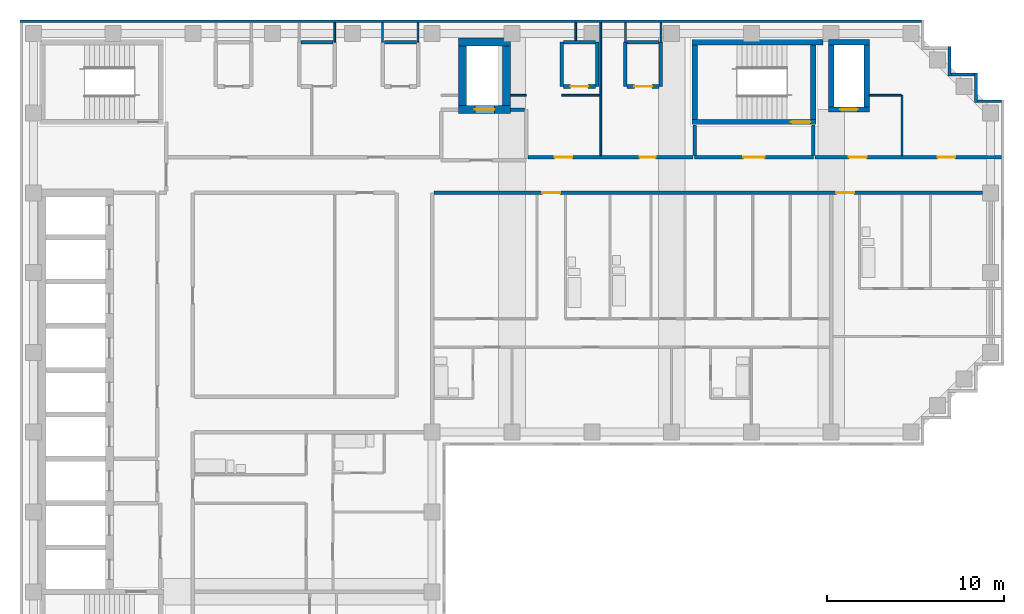
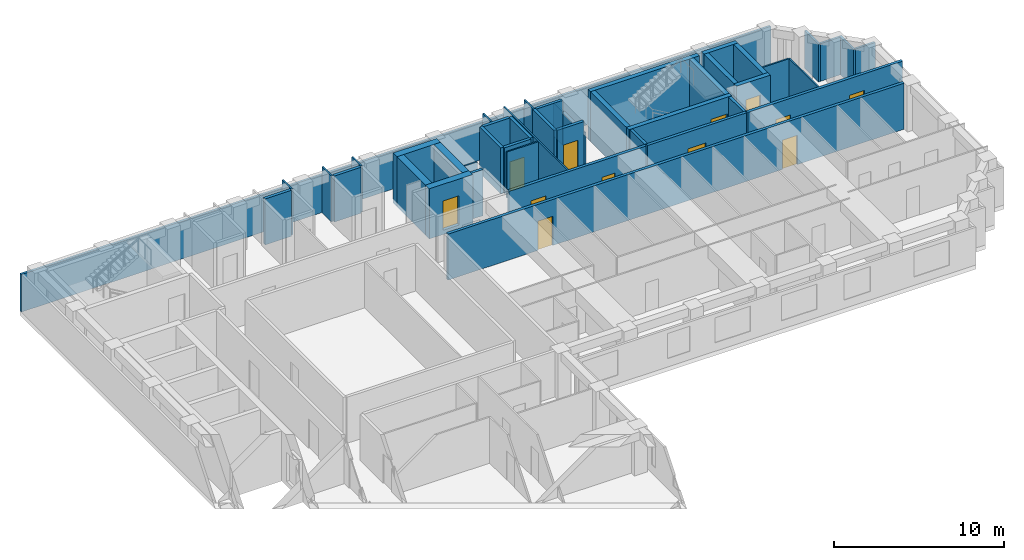
# One storey, part 6 of 9: 45 walls, 12 doors, 12 openings.
"""IFC4 building model written with IfcOpenShell, lengths in metres."""

from ifc_helpers import new_model, si_unit, direction, frame, frame_2d, origin, place, context, subcontext, project, spatial, rectangle, extrude, material, layer, layer_set, type_object, element, fill, save


model = new_model("IFC4")

# Units and contexts
model_context = context("Model", 3, precision=1e-05, world=origin(), true_north=direction((0.0, 1.0)))
body_context = subcontext(model_context, "Body", "Model", "MODEL_VIEW")
ifc_project = project(units=[si_unit("LENGTHUNIT", "METRE"), si_unit("AREAUNIT", "SQUARE_METRE"), si_unit("VOLUMEUNIT", "CUBIC_METRE"), si_unit("PLANEANGLEUNIT", "RADIAN"), si_unit("MASSUNIT", "GRAM", prefix="KILO")], contexts=[model_context])

# Site, building, storey
site_placement = place(None, origin())
site = spatial("IfcSite", under=ifc_project, at=site_placement, CompositionType="ELEMENT")
building_placement = place(site_placement, origin())
building = spatial("IfcBuilding", under=site, at=building_placement, Name="Firuza Court", CompositionType="ELEMENT")
storey_placement = place(building_placement, frame((0.0, 0.0, 222.199951171875)))
storey = spatial("IfcBuildingStorey", under=building, at=storey_placement, Name="L57", CompositionType="ELEMENT", Elevation=222.199951171875)

# Wall, opening, door
ifc_material_1 = material(Name="Concrete C50/60", Category="concrete")
ifc_layer_1 = layer(ifc_material_1, 0.300048828125)
ifc_layer_set_1 = layer_set([ifc_layer_1], Name="Concrete C50/60")
wall_type_1 = type_object("IfcWallType", Name="Core wall 300 C50/60", PredefinedType="SHEAR", material=ifc_layer_set_1)
wall_1_placement = place(storey_placement, frame((37.14990234375, 53.5, -0.300048828125), z_axis=(0.0, 0.0, 1.0), x_axis=(1.0, 0.0, 0.0)))
wall_1 = element("IfcWall", 1, at=wall_1_placement, inside=storey, type_object=wall_type_1, Name="Core wall stair L57", PredefinedType="SHEAR", context=body_context, shape_type="SweptSolid", body=[
    extrude(rectangle(XDim=7.0, YDim=0.300048828125, at=frame_2d((3.5, 0.0))), origin(), (0.0, 0.0, 1.0), 3.60009765625),
])
opening_1_placement = place(wall_1_placement, frame((5.580078125, 0.0, 0.300048828125)))
opening_1 = element("IfcOpeningElement", 2, at=opening_1_placement, cuts=wall_1, Name="Opening D57009", PredefinedType="OPENING", context=body_context, shape_type="SweptSolid", body=[
    extrude(rectangle(XDim=1.10009765625, YDim=2.10009765625, at=frame_2d((0.550048828125, 1.050048828125))), frame((0.0, 0.162109375, 0.0), z_axis=(0.0, -1.0, 0.0), x_axis=(1.0, 0.0, 0.0)), (0.0, 0.0, 1.0), 0.323974609375),
])
ifc_material_2 = material(Name="Timber door leaf in hardwood frame", Category="wood")
door_type_1 = type_object("IfcDoorType", Name="Stair door 1100", OperationType="SINGLE_SWING_LEFT", PredefinedType="DOOR", material=ifc_material_2)
door_1_placement = place(opening_1_placement, origin())
door_1 = element("IfcDoor", 3, at=door_1_placement, inside=storey, type_object=door_type_1, Name="Stair door S1", OperationType="SINGLE_SWING_RIGHT", OverallHeight=2.10009765625, OverallWidth=1.10009765625, PredefinedType="DOOR", context=body_context, shape_type="SweptSolid", body=[
    extrude(rectangle(XDim=1.10009765625, YDim=2.10009765625, at=frame_2d((0.550048828125, 1.050048828125))), frame((0.0, 0.02490234375, 0.0), z_axis=(0.0, -1.0, 0.0), x_axis=(1.0, 0.0, 0.0)), (0.0, 0.0, 1.0), 0.050048828125),
])
fill(opening_1, door_1)

# Walls
wall_2_placement = place(storey_placement, frame((37.14990234375, 58.0, -0.300048828125), z_axis=(0.0, 0.0, 1.0), x_axis=(1.0, 0.0, 0.0)))
element("IfcWall", 4, at=wall_2_placement, inside=storey, type_object=wall_type_1, Name="Core wall stair L57", PredefinedType="SHEAR", context=body_context, shape_type="SweptSolid", body=[
    extrude(rectangle(XDim=7.400146484375, YDim=0.300048828125, at=frame_2d((3.7001953125, 0.0))), origin(), (0.0, 0.0, 1.0), 3.60009765625),
])
for number, where, z_axis, x_axis, name in (
    (5, (37.300048828125, 53.64990234375, -0.300048828125), (0.0, 0.0, 1.0), (0.0, 1.0, 0.0), "Core wall stair L57"),
    (6, (44.0, 53.64990234375, -0.300048828125), (0.0, 0.0, 1.0), (0.0, 1.0, 0.0), "Core wall stair L57"),
):
    element("IfcWall", number, at=place(storey_placement, frame(where, z_axis=z_axis, x_axis=x_axis)), inside=storey, type_object=wall_type_1, Name=name, PredefinedType="SHEAR", context=body_context, shape_type="SweptSolid", body=[
        extrude(rectangle(XDim=4.2001953125, YDim=0.300048828125, at=frame_2d((2.10009765625, 0.0))), origin(), (0.0, 0.0, 1.0), 3.60009765625),
    ])

# Wall, opening, door
wall_3_placement = place(storey_placement, frame((44.85009765625, 54.199951171875, -0.300048828125), z_axis=(0.0, 0.0, 1.0), x_axis=(1.0, 0.0, 0.0)))
wall_3 = element("IfcWall", 7, at=wall_3_placement, inside=storey, type_object=wall_type_1, Name="Core wall riser L57", PredefinedType="SHEAR", context=body_context, shape_type="SweptSolid", body=[
    extrude(rectangle(XDim=2.2998046875, YDim=0.300048828125, at=frame_2d((1.14990234375, 0.0))), origin(), (0.0, 0.0, 1.0), 3.60009765625),
])
opening_2_placement = place(wall_3_placement, frame((0.64990234375, 0.0, 0.300048828125)))
opening_2 = element("IfcOpeningElement", 8, at=opening_2_placement, cuts=wall_3, Name="Opening D57008", PredefinedType="OPENING", context=body_context, shape_type="SweptSolid", body=[
    extrude(rectangle(XDim=1.0, YDim=2.10009765625, at=frame_2d((0.5, 1.050048828125))), frame((0.0, 0.162109375, 0.0), z_axis=(0.0, -1.0, 0.0), x_axis=(1.0, 0.0, 0.0)), (0.0, 0.0, 1.0), 0.323974609375),
])
ifc_material_3 = material(Name="Timber door leaf in hardwood frame", Category="wood")
door_type_2 = type_object("IfcDoorType", Name="Riser door 1000", OperationType="SINGLE_SWING_LEFT", PredefinedType="DOOR", material=ifc_material_3)
door_2_placement = place(opening_2_placement, origin())
door_2 = element("IfcDoor", 9, at=door_2_placement, inside=storey, type_object=door_type_2, Name="Riser door R3", OperationType="SINGLE_SWING_LEFT", OverallHeight=2.10009765625, OverallWidth=1.0, PredefinedType="DOOR", context=body_context, shape_type="SweptSolid", body=[
    extrude(rectangle(XDim=1.0, YDim=2.10009765625, at=frame_2d((0.5, 1.050048828125))), frame((0.0, 0.02490234375, 0.0), z_axis=(0.0, -1.0, 0.0), x_axis=(1.0, 0.0, 0.0)), (0.0, 0.0, 1.0), 0.050048828125),
])
fill(opening_2, door_2)

# Walls
wall_4_placement = place(storey_placement, frame((44.85009765625, 58.0, -0.300048828125), z_axis=(0.0, 0.0, 1.0), x_axis=(1.0, 0.0, 0.0)))
element("IfcWall", 10, at=wall_4_placement, inside=storey, type_object=wall_type_1, Name="Core wall riser L57", PredefinedType="SHEAR", context=body_context, shape_type="SweptSolid", body=[
    extrude(rectangle(XDim=2.2998046875, YDim=0.300048828125, at=frame_2d((1.14990234375, 0.0))), origin(), (0.0, 0.0, 1.0), 3.60009765625),
])
for number, where, z_axis, x_axis, name in (
    (11, (45.0, 54.35009765625, -0.300048828125), (0.0, 0.0, 1.0), (0.0, 1.0, 0.0), "Core wall riser L57"),
    (12, (47.0, 54.35009765625, -0.300048828125), (0.0, 0.0, 1.0), (0.0, 1.0, 0.0), "Core wall riser L57"),
):
    element("IfcWall", number, at=place(storey_placement, frame(where, z_axis=z_axis, x_axis=x_axis)), inside=storey, type_object=wall_type_1, Name=name, PredefinedType="SHEAR", context=body_context, shape_type="SweptSolid", body=[
        extrude(rectangle(XDim=3.5, YDim=0.300048828125, at=frame_2d((1.75, 0.0))), origin(), (0.0, 0.0, 1.0), 3.60009765625),
    ])

# Wall, opening, door
ifc_layer_2 = layer(ifc_material_1, 0.449951171875)
ifc_layer_set_2 = layer_set([ifc_layer_2], Name="Concrete C50/60")
wall_type_2 = type_object("IfcWallType", Name="Core wall 450 C50/60", PredefinedType="SHEAR", material=ifc_layer_set_2)
wall_5_placement = place(storey_placement, frame((23.97509765625, 54.199951171875, -0.300048828125), z_axis=(0.0, 0.0, 1.0), x_axis=(1.0, 0.0, 0.0)))
wall_5 = element("IfcWall", 13, at=wall_5_placement, inside=storey, type_object=wall_type_2, Name="Core wall lift shaft L57", PredefinedType="SHEAR", context=body_context, shape_type="SweptSolid", body=[
    extrude(rectangle(XDim=2.949951171875, YDim=0.449951171875, at=frame_2d((1.47509765625, 0.0))), origin(), (0.0, 0.0, 1.0), 3.60009765625),
])
opening_3_placement = place(wall_5_placement, frame((0.925048828125, 0.0, 0.300048828125)))
opening_3 = element("IfcOpeningElement", 14, at=opening_3_placement, cuts=wall_5, Name="Opening LD-FL3-57", PredefinedType="OPENING", context=body_context, shape_type="SweptSolid", body=[
    extrude(rectangle(XDim=1.10009765625, YDim=2.10009765625, at=frame_2d((0.550048828125, 1.050048828125))), frame((0.0, 0.23681640625, 0.0), z_axis=(0.0, -1.0, 0.0), x_axis=(1.0, 0.0, 0.0)), (0.0, 0.0, 1.0), 0.473876953125),
])
ifc_material_4 = material(Name="Stainless steel 1.4301 door leaf", Category="steel")
door_type_3 = type_object("IfcDoorType", Name="Lift landing door 1100", OperationType="SLIDING_TO_LEFT", PredefinedType="DOOR", material=ifc_material_4)
door_3_placement = place(opening_3_placement, origin())
door_3 = element("IfcDoor", 15, at=door_3_placement, inside=storey, type_object=door_type_3, Name="Landing door FL3", OperationType="SLIDING_TO_LEFT", OverallHeight=2.10009765625, OverallWidth=1.10009765625, PredefinedType="DOOR", context=body_context, shape_type="SweptSolid", body=[
    extrude(rectangle(XDim=1.10009765625, YDim=2.10009765625, at=frame_2d((0.550048828125, 1.050048828125))), frame((0.0, 0.02490234375, 0.0), z_axis=(0.0, -1.0, 0.0), x_axis=(1.0, 0.0, 0.0)), (0.0, 0.0, 1.0), 0.050048828125),
])
fill(opening_3, door_3)

# Walls
wall_6_placement = place(storey_placement, frame((23.97509765625, 58.0, -0.300048828125), z_axis=(0.0, 0.0, 1.0), x_axis=(1.0, 0.0, 0.0)))
element("IfcWall", 16, at=wall_6_placement, inside=storey, type_object=wall_type_2, Name="Core wall lift shaft L57", PredefinedType="SHEAR", context=body_context, shape_type="SweptSolid", body=[
    extrude(rectangle(XDim=2.949951171875, YDim=0.449951171875, at=frame_2d((1.47509765625, 0.0))), origin(), (0.0, 0.0, 1.0), 3.60009765625),
])
for number, where, z_axis, x_axis, name in (
    (17, (24.199951171875, 54.425048828125, -0.300048828125), (0.0, 0.0, 1.0), (0.0, 1.0, 0.0), "Core wall lift shaft L57"),
    (18, (26.699951171875, 54.425048828125, -0.300048828125), (0.0, 0.0, 1.0), (0.0, 1.0, 0.0), "Core wall lift shaft L57"),
):
    element("IfcWall", number, at=place(storey_placement, frame(where, z_axis=z_axis, x_axis=x_axis)), inside=storey, type_object=wall_type_2, Name=name, PredefinedType="SHEAR", context=body_context, shape_type="SweptSolid", body=[
        extrude(rectangle(XDim=3.349853515625, YDim=0.449951171875, at=frame_2d((1.6748046875, 0.0))), origin(), (0.0, 0.0, 1.0), 3.60009765625),
    ])

# Wall, openings, doors
ifc_material_5 = material(Name="Blockwork, plastered both sides", Category="masonry")
ifc_layer_3 = layer(ifc_material_5, 0.199951171875)
ifc_layer_set_3 = layer_set([ifc_layer_3], Name="Blockwork, plastered both sides")
wall_type_3 = type_object("IfcWallType", Name="Corridor wall 200", PredefinedType="PARTITIONING", material=ifc_layer_set_3)
wall_7_placement = place(storey_placement, frame((22.60009765625, 49.5, 0.0), z_axis=(0.0, 0.0, 1.0), x_axis=(1.0, 0.0, 0.0)))
wall_7 = element("IfcWall", 19, at=wall_7_placement, inside=storey, type_object=wall_type_3, Name="Corridor wall 200 L57", PredefinedType="PARTITIONING", context=body_context, shape_type="SweptSolid", body=[
    extrude(rectangle(XDim=30.949951171875, YDim=0.199951171875, at=frame_2d((15.47509765625, 0.0))), origin(), (0.0, 0.0, 1.0), 3.300048828125),
])
opening_4_placement = place(wall_7_placement, frame((6.115478515625, 0.0, 0.0)))
opening_4 = element("IfcOpeningElement", 20, at=opening_4_placement, cuts=wall_7, Name="Opening D57046", PredefinedType="OPENING", context=body_context, shape_type="SweptSolid", body=[
    extrude(rectangle(XDim=1.0, YDim=2.10009765625, at=frame_2d((0.5, 1.050048828125))), frame((0.0, 0.11181640625, 0.0), z_axis=(0.0, -1.0, 0.0), x_axis=(1.0, 0.0, 0.0)), (0.0, 0.0, 1.0), 0.223876953125),
])
opening_5_placement = place(wall_7_placement, frame((22.699951171875, 0.0, 0.0)))
opening_5 = element("IfcOpeningElement", 21, at=opening_5_placement, cuts=wall_7, Name="Opening D57047", PredefinedType="OPENING", context=body_context, shape_type="SweptSolid", body=[
    extrude(rectangle(XDim=1.0, YDim=2.10009765625, at=frame_2d((0.5, 1.050048828125))), frame((0.0, 0.11181640625, 0.0), z_axis=(0.0, -1.0, 0.0), x_axis=(1.0, 0.0, 0.0)), (0.0, 0.0, 1.0), 0.223876953125),
])
ifc_material_6 = material(Name="Timber door leaf in hardwood frame", Category="wood")
door_type_4 = type_object("IfcDoorType", Name="Flat entrance door 1000", OperationType="SINGLE_SWING_LEFT", PredefinedType="DOOR", material=ifc_material_6)
door_4_placement = place(opening_4_placement, origin())
door_4 = element("IfcDoor", 22, at=door_4_placement, inside=storey, type_object=door_type_4, Name="Flat entrance door", OperationType="SINGLE_SWING_LEFT", OverallHeight=2.10009765625, OverallWidth=1.0, PredefinedType="DOOR", context=body_context, shape_type="SweptSolid", body=[
    extrude(rectangle(XDim=1.0, YDim=2.10009765625, at=frame_2d((0.5, 1.050048828125))), frame((0.0, 0.02490234375, 0.0), z_axis=(0.0, -1.0, 0.0), x_axis=(1.0, 0.0, 0.0)), (0.0, 0.0, 1.0), 0.050048828125),
])
fill(opening_4, door_4)
door_5_placement = place(opening_5_placement, origin())
door_5 = element("IfcDoor", 23, at=door_5_placement, inside=storey, type_object=door_type_4, Name="Flat entrance door", OperationType="SINGLE_SWING_LEFT", OverallHeight=2.10009765625, OverallWidth=1.0, PredefinedType="DOOR", context=body_context, shape_type="SweptSolid", body=[
    extrude(rectangle(XDim=1.0, YDim=2.10009765625, at=frame_2d((0.5, 1.050048828125))), frame((0.0, 0.02490234375, 0.0), z_axis=(0.0, -1.0, 0.0), x_axis=(1.0, 0.0, 0.0)), (0.0, 0.0, 1.0), 0.050048828125),
])
fill(opening_5, door_5)

wall_8_placement = place(storey_placement, frame((27.89990234375, 51.5, 0.0), z_axis=(0.0, 0.0, 1.0), x_axis=(1.0, 0.0, 0.0)))
wall_8 = element("IfcWall", 24, at=wall_8_placement, inside=storey, type_object=wall_type_3, Name="Corridor wall 200 L57", PredefinedType="PARTITIONING", context=body_context, shape_type="SweptSolid", body=[
    extrude(rectangle(XDim=9.300048828125, YDim=0.199951171875, at=frame_2d((4.64990234375, 0.0))), origin(), (0.0, 0.0, 1.0), 3.300048828125),
])
opening_6_placement = place(wall_8_placement, frame((1.5, 0.0, 0.0)))
opening_6 = element("IfcOpeningElement", 25, at=opening_6_placement, cuts=wall_8, Name="Opening D57050", PredefinedType="OPENING", context=body_context, shape_type="SweptSolid", body=[
    extrude(rectangle(XDim=1.0, YDim=2.10009765625, at=frame_2d((0.5, 1.050048828125))), frame((0.0, 0.11181640625, 0.0), z_axis=(0.0, -1.0, 0.0), x_axis=(1.0, 0.0, 0.0)), (0.0, 0.0, 1.0), 0.223876953125),
])
opening_7_placement = place(wall_8_placement, frame((6.300048828125, 0.0, 0.0)))
opening_7 = element("IfcOpeningElement", 26, at=opening_7_placement, cuts=wall_8, Name="Opening D57051", PredefinedType="OPENING", context=body_context, shape_type="SweptSolid", body=[
    extrude(rectangle(XDim=0.89990234375, YDim=2.10009765625, at=frame_2d((0.449951171875, 1.050048828125))), frame((0.0, 0.11181640625, 0.0), z_axis=(0.0, -1.0, 0.0), x_axis=(1.0, 0.0, 0.0)), (0.0, 0.0, 1.0), 0.223876953125),
])
ifc_material_7 = material(Name="Timber door leaf in hardwood frame", Category="wood")
door_type_5 = type_object("IfcDoorType", Name="Room door 900 EI 30", OperationType="SINGLE_SWING_LEFT", PredefinedType="DOOR", material=ifc_material_7)
door_6_placement = place(opening_7_placement, origin())
door_6 = element("IfcDoor", 27, at=door_6_placement, inside=storey, type_object=door_type_5, Name="Staff pantry door", OperationType="SINGLE_SWING_LEFT", OverallHeight=2.10009765625, OverallWidth=0.89990234375, PredefinedType="DOOR", context=body_context, shape_type="SweptSolid", body=[
    extrude(rectangle(XDim=0.89990234375, YDim=2.10009765625, at=frame_2d((0.449951171875, 1.050048828125))), frame((0.0, 0.02490234375, 0.0), z_axis=(0.0, -1.0, 0.0), x_axis=(1.0, 0.0, 0.0)), (0.0, 0.0, 1.0), 0.050048828125),
])
fill(opening_7, door_6)
ifc_material_8 = material(Name="Timber door leaf in hardwood frame", Category="wood")
door_type_6 = type_object("IfcDoorType", Name="Store door 1000", OperationType="SINGLE_SWING_LEFT", PredefinedType="DOOR", material=ifc_material_8)
door_7_placement = place(opening_6_placement, origin())
door_7 = element("IfcDoor", 28, at=door_7_placement, inside=storey, type_object=door_type_6, Name="Parcel room door", OperationType="SINGLE_SWING_LEFT", OverallHeight=2.10009765625, OverallWidth=1.0, PredefinedType="DOOR", context=body_context, shape_type="SweptSolid", body=[
    extrude(rectangle(XDim=1.0, YDim=2.10009765625, at=frame_2d((0.5, 1.050048828125))), frame((0.0, 0.02490234375, 0.0), z_axis=(0.0, -1.0, 0.0), x_axis=(1.0, 0.0, 0.0)), (0.0, 0.0, 1.0), 0.050048828125),
])
fill(opening_6, door_7)

wall_9_placement = place(storey_placement, frame((44.10009765625, 51.5, 0.0), z_axis=(0.0, 0.0, 1.0), x_axis=(1.0, 0.0, 0.0)))
wall_9 = element("IfcWall", 29, at=wall_9_placement, inside=storey, type_object=wall_type_3, Name="Corridor wall 200 L57", PredefinedType="PARTITIONING", context=body_context, shape_type="SweptSolid", body=[
    extrude(rectangle(XDim=10.5, YDim=0.199951171875, at=frame_2d((5.25, 0.0))), origin(), (0.0, 0.0, 1.0), 3.300048828125),
])
opening_8_placement = place(wall_9_placement, frame((1.89990234375, 0.0, 0.0)))
opening_8 = element("IfcOpeningElement", 30, at=opening_8_placement, cuts=wall_9, Name="Opening D57052", PredefinedType="OPENING", context=body_context, shape_type="SweptSolid", body=[
    extrude(rectangle(XDim=1.0, YDim=2.10009765625, at=frame_2d((0.5, 1.050048828125))), frame((0.0, 0.11181640625, 0.0), z_axis=(0.0, -1.0, 0.0), x_axis=(1.0, 0.0, 0.0)), (0.0, 0.0, 1.0), 0.223876953125),
])
opening_9_placement = place(wall_9_placement, frame((6.89990234375, 0.0, 0.0)))
opening_9 = element("IfcOpeningElement", 31, at=opening_9_placement, cuts=wall_9, Name="Opening D57053", PredefinedType="OPENING", context=body_context, shape_type="SweptSolid", body=[
    extrude(rectangle(XDim=1.0, YDim=2.10009765625, at=frame_2d((0.5, 1.050048828125))), frame((0.0, 0.11181640625, 0.0), z_axis=(0.0, -1.0, 0.0), x_axis=(1.0, 0.0, 0.0)), (0.0, 0.0, 1.0), 0.223876953125),
])
door_8_placement = place(opening_8_placement, origin())
door_8 = element("IfcDoor", 32, at=door_8_placement, inside=storey, type_object=door_type_6, Name="Cleaner's store door", OperationType="SINGLE_SWING_LEFT", OverallHeight=2.10009765625, OverallWidth=1.0, PredefinedType="DOOR", context=body_context, shape_type="SweptSolid", body=[
    extrude(rectangle(XDim=1.0, YDim=2.10009765625, at=frame_2d((0.5, 1.050048828125))), frame((0.0, 0.02490234375, 0.0), z_axis=(0.0, -1.0, 0.0), x_axis=(1.0, 0.0, 0.0)), (0.0, 0.0, 1.0), 0.050048828125),
])
fill(opening_8, door_8)
door_9_placement = place(opening_9_placement, origin())
door_9 = element("IfcDoor", 33, at=door_9_placement, inside=storey, type_object=door_type_6, Name="Bicycle store door", OperationType="SINGLE_SWING_LEFT", OverallHeight=2.10009765625, OverallWidth=1.0, PredefinedType="DOOR", context=body_context, shape_type="SweptSolid", body=[
    extrude(rectangle(XDim=1.0, YDim=2.10009765625, at=frame_2d((0.5, 1.050048828125))), frame((0.0, 0.02490234375, 0.0), z_axis=(0.0, -1.0, 0.0), x_axis=(1.0, 0.0, 0.0)), (0.0, 0.0, 1.0), 0.050048828125),
])
fill(opening_9, door_9)

# Walls
ifc_material_9 = material(Name="Timber stud partition, plasterboard both sides", Category="wood")
ifc_layer_4 = layer(ifc_material_9, 0.10009765625)
ifc_layer_set_4 = layer_set([ifc_layer_4], Name="Timber stud partition, plasterboard both sides")
wall_type_4 = type_object("IfcWallType", Name="Partition wall 100", PredefinedType="PARTITIONING", material=ifc_layer_set_4)
wall_10_placement = place(storey_placement, frame((32.0, 51.60009765625, 0.0), z_axis=(0.0, 0.0, 1.0), x_axis=(0.0, 1.0, 0.0)))
element("IfcWall", 34, at=wall_10_placement, inside=storey, type_object=wall_type_4, Name="Partition wall 100 L57", PredefinedType="PARTITIONING", context=body_context, shape_type="SweptSolid", body=[
    extrude(rectangle(XDim=7.5, YDim=0.10009765625, at=frame_2d((3.75, 0.0))), origin(), (0.0, 0.0, 1.0), 3.300048828125),
])
wall_11_placement = place(storey_placement, frame((49.0, 51.60009765625, 0.0), z_axis=(0.0, 0.0, 1.0), x_axis=(0.0, 1.0, 0.0)))
element("IfcWall", 35, at=wall_11_placement, inside=storey, type_object=wall_type_4, Name="Partition wall 100 L57", PredefinedType="PARTITIONING", context=body_context, shape_type="SweptSolid", body=[
    extrude(rectangle(XDim=3.39990234375, YDim=0.10009765625, at=frame_2d((1.699951171875, 0.0))), origin(), (0.0, 0.0, 1.0), 3.300048828125),
])
wall_12_placement = place(storey_placement, frame((26.925048828125, 55.0, 0.0), z_axis=(0.0, 0.0, 1.0), x_axis=(1.0, 0.0, 0.0)))
element("IfcWall", 36, at=wall_12_placement, inside=storey, type_object=wall_type_4, Name="Partition wall 100 L57", PredefinedType="PARTITIONING", context=body_context, shape_type="SweptSolid", body=[
    extrude(rectangle(XDim=0.875, YDim=0.10009765625, at=frame_2d((0.4375, 0.0))), origin(), (0.0, 0.0, 1.0), 3.300048828125),
])
wall_13_placement = place(storey_placement, frame((29.800048828125, 55.0, 0.0), z_axis=(0.0, 0.0, 1.0), x_axis=(1.0, 0.0, 0.0)))
element("IfcWall", 37, at=wall_13_placement, inside=storey, type_object=wall_type_4, Name="Partition wall 100 L57", PredefinedType="PARTITIONING", context=body_context, shape_type="SweptSolid", body=[
    extrude(rectangle(XDim=2.14990234375, YDim=0.10009765625, at=frame_2d((1.074951171875, 0.0))), origin(), (0.0, 0.0, 1.0), 3.300048828125),
])
wall_14_placement = place(storey_placement, frame((47.14990234375, 55.0, 0.0), z_axis=(0.0, 0.0, 1.0), x_axis=(1.0, 0.0, 0.0)))
element("IfcWall", 38, at=wall_14_placement, inside=storey, type_object=wall_type_4, Name="Partition wall 100 L57", PredefinedType="PARTITIONING", context=body_context, shape_type="SweptSolid", body=[
    extrude(rectangle(XDim=1.800048828125, YDim=0.10009765625, at=frame_2d((0.89990234375, 0.0))), origin(), (0.0, 0.0, 1.0), 3.300048828125),
])
for number, where, z_axis, x_axis, name in (
    (39, (17.0, 58.0, 0.0), (0.0, 0.0, 1.0), (0.0, 1.0, 0.0), "Partition wall 100 L57"),
    (40, (19.699951171875, 58.0, 0.0), (0.0, 0.0, 1.0), (0.0, 1.0, 0.0), "Partition wall 100 L57"),
    (41, (21.699951171875, 58.0, 0.0), (0.0, 0.0, 1.0), (0.0, 1.0, 0.0), "Partition wall 100 L57"),
    (42, (33.39990234375, 58.0, 0.0), (0.0, 0.0, 1.0), (0.0, 1.0, 0.0), "Partition wall 100 L57"),
):
    element("IfcWall", number, at=place(storey_placement, frame(where, z_axis=z_axis, x_axis=x_axis)), inside=storey, type_object=wall_type_4, Name=name, PredefinedType="PARTITIONING", context=body_context, shape_type="SweptSolid", body=[
        extrude(rectangle(XDim=1.10009765625, YDim=0.10009765625, at=frame_2d((0.550048828125, 0.0))), origin(), (0.0, 0.0, 1.0), 3.300048828125),
    ])
wall_15_placement = place(storey_placement, frame((35.39990234375, 58.0, 0.0), z_axis=(0.0, 0.0, 1.0), x_axis=(0.0, 1.0, 0.0)))
element("IfcWall", 43, at=wall_15_placement, inside=storey, type_object=wall_type_4, Name="Partition wall 100 L57", PredefinedType="PARTITIONING", context=body_context, shape_type="SweptSolid", body=[
    extrude(rectangle(XDim=1.10009765625, YDim=0.10009765625, at=frame_2d((0.550048828125, 0.0))), origin(), (0.0, 0.0, 1.0), 2.400146484375),
])
wall_16_placement = place(storey_placement, frame((30.60009765625, 58.10009765625, 0.0), z_axis=(0.0, 0.0, 1.0), x_axis=(0.0, 1.0, 0.0)))
element("IfcWall", 44, at=wall_16_placement, inside=storey, type_object=wall_type_4, Name="Partition wall 100 L57", PredefinedType="PARTITIONING", context=body_context, shape_type="SweptSolid", body=[
    extrude(rectangle(XDim=1.0, YDim=0.10009765625, at=frame_2d((0.5, 0.0))), origin(), (0.0, 0.0, 1.0), 3.300048828125),
])
ifc_material_10 = material(Name="Blockwork, fire-rated", Category="masonry")
ifc_layer_5 = layer(ifc_material_10, 0.199951171875)
ifc_layer_set_5 = layer_set([ifc_layer_5], Name="Blockwork, fire-rated")
wall_type_5 = type_object("IfcWallType", Name="Plant room wall 200", PredefinedType="PARTITIONING", material=ifc_layer_set_5)
wall_17_placement = place(storey_placement, frame((29.800048828125, 55.5, 0.0), z_axis=(0.0, 0.0, 1.0), x_axis=(0.0, 1.0, 0.0)))
element("IfcWall", 45, at=wall_17_placement, inside=storey, type_object=wall_type_5, Name="Plant room wall 200 L57", PredefinedType="PARTITIONING", context=body_context, shape_type="SweptSolid", body=[
    extrude(rectangle(XDim=2.5, YDim=0.199951171875, at=frame_2d((1.25, 0.0))), origin(), (0.0, 0.0, 1.0), 3.300048828125),
])

# Wall, opening, door
wall_18_placement = place(storey_placement, frame((29.89990234375, 55.5, 0.0), z_axis=(0.0, 0.0, 1.0), x_axis=(1.0, 0.0, 0.0)))
wall_18 = element("IfcWall", 46, at=wall_18_placement, inside=storey, type_object=wall_type_5, Name="Plant room wall 200 L57", PredefinedType="PARTITIONING", context=body_context, shape_type="SweptSolid", body=[
    extrude(rectangle(XDim=1.800048828125, YDim=0.199951171875, at=frame_2d((0.89990234375, 0.0))), origin(), (0.0, 0.0, 1.0), 3.300048828125),
])
opening_10_placement = place(wall_18_placement, frame((0.39990234375, 0.0, 0.0)))
opening_10 = element("IfcOpeningElement", 47, at=opening_10_placement, cuts=wall_18, Name="Opening D57057", PredefinedType="OPENING", context=body_context, shape_type="SweptSolid", body=[
    extrude(rectangle(XDim=1.0, YDim=2.10009765625, at=frame_2d((0.5, 1.050048828125))), frame((0.0, 0.11181640625, 0.0), z_axis=(0.0, -1.0, 0.0), x_axis=(1.0, 0.0, 0.0)), (0.0, 0.0, 1.0), 0.223876953125),
])
door_10_placement = place(opening_10_placement, origin())
door_10 = element("IfcDoor", 48, at=door_10_placement, inside=storey, type_object=door_type_2, Name="Electrical riser door", OperationType="SINGLE_SWING_LEFT", OverallHeight=2.10009765625, OverallWidth=1.0, PredefinedType="DOOR", context=body_context, shape_type="SweptSolid", body=[
    extrude(rectangle(XDim=1.0, YDim=2.10009765625, at=frame_2d((0.5, 1.050048828125))), frame((0.0, 0.02490234375, 0.0), z_axis=(0.0, -1.0, 0.0), x_axis=(1.0, 0.0, 0.0)), (0.0, 0.0, 1.0), 0.050048828125),
])
fill(opening_10, door_10)

# Walls
for number, where, z_axis, x_axis, name in (
    (49, (31.800048828125, 55.5, 0.0), (0.0, 0.0, 1.0), (0.0, 1.0, 0.0), "Plant room wall 200 L57"),
    (50, (33.39990234375, 55.5, 0.0), (0.0, 0.0, 1.0), (0.0, 1.0, 0.0), "Plant room wall 200 L57"),
):
    element("IfcWall", number, at=place(storey_placement, frame(where, z_axis=z_axis, x_axis=x_axis)), inside=storey, type_object=wall_type_5, Name=name, PredefinedType="PARTITIONING", context=body_context, shape_type="SweptSolid", body=[
        extrude(rectangle(XDim=2.5, YDim=0.199951171875, at=frame_2d((1.25, 0.0))), origin(), (0.0, 0.0, 1.0), 3.300048828125),
    ])

# Wall, opening, door
wall_19_placement = place(storey_placement, frame((33.5, 55.5, 0.0), z_axis=(0.0, 0.0, 1.0), x_axis=(1.0, 0.0, 0.0)))
wall_19 = element("IfcWall", 51, at=wall_19_placement, inside=storey, type_object=wall_type_5, Name="Plant room wall 200 L57", PredefinedType="PARTITIONING", context=body_context, shape_type="SweptSolid", body=[
    extrude(rectangle(XDim=1.800048828125, YDim=0.199951171875, at=frame_2d((0.89990234375, 0.0))), origin(), (0.0, 0.0, 1.0), 3.300048828125),
])
opening_11_placement = place(wall_19_placement, frame((0.39990234375, 0.0, 0.0)))
opening_11 = element("IfcOpeningElement", 52, at=opening_11_placement, cuts=wall_19, Name="Opening D57058", PredefinedType="OPENING", context=body_context, shape_type="SweptSolid", body=[
    extrude(rectangle(XDim=1.0, YDim=2.10009765625, at=frame_2d((0.5, 1.050048828125))), frame((0.0, 0.11181640625, 0.0), z_axis=(0.0, -1.0, 0.0), x_axis=(1.0, 0.0, 0.0)), (0.0, 0.0, 1.0), 0.223876953125),
])
door_11_placement = place(opening_11_placement, origin())
door_11 = element("IfcDoor", 53, at=door_11_placement, inside=storey, type_object=door_type_2, Name="Duct riser door", OperationType="SINGLE_SWING_LEFT", OverallHeight=2.10009765625, OverallWidth=1.0, PredefinedType="DOOR", context=body_context, shape_type="SweptSolid", body=[
    extrude(rectangle(XDim=1.0, YDim=2.10009765625, at=frame_2d((0.5, 1.050048828125))), frame((0.0, 0.02490234375, 0.0), z_axis=(0.0, -1.0, 0.0), x_axis=(1.0, 0.0, 0.0)), (0.0, 0.0, 1.0), 0.050048828125),
])
fill(opening_11, door_11)

# Walls
wall_20_placement = place(storey_placement, frame((35.39990234375, 55.5, 0.0), z_axis=(0.0, 0.0, 1.0), x_axis=(0.0, 1.0, 0.0)))
element("IfcWall", 54, at=wall_20_placement, inside=storey, type_object=wall_type_5, Name="Plant room wall 200 L57", PredefinedType="PARTITIONING", context=body_context, shape_type="SweptSolid", body=[
    extrude(rectangle(XDim=2.5, YDim=0.199951171875, at=frame_2d((1.25, 0.0))), origin(), (0.0, 0.0, 1.0), 2.400146484375),
])
wall_21_placement = place(storey_placement, frame((15.10009765625, 58.0, 0.0), z_axis=(0.0, 0.0, 1.0), x_axis=(1.0, 0.0, 0.0)))
element("IfcWall", 55, at=wall_21_placement, inside=storey, type_object=wall_type_5, Name="Plant room wall 200 L57", PredefinedType="PARTITIONING", context=body_context, shape_type="SweptSolid", body=[
    extrude(rectangle(XDim=1.7998046875, YDim=0.199951171875, at=frame_2d((0.89990234375, 0.0))), origin(), (0.0, 0.0, 1.0), 3.300048828125),
])
for number, where, z_axis, x_axis, name in (
    (56, (19.800048828125, 58.0, 0.0), (0.0, 0.0, 1.0), (1.0, 0.0, 0.0), "Plant room wall 200 L57"),
    (57, (29.89990234375, 58.0, 0.0), (0.0, 0.0, 1.0), (1.0, 0.0, 0.0), "Plant room wall 200 L57"),
    (58, (33.5, 58.0, 0.0), (0.0, 0.0, 1.0), (1.0, 0.0, 0.0), "Plant room wall 200 L57"),
):
    element("IfcWall", number, at=place(storey_placement, frame(where, z_axis=z_axis, x_axis=x_axis)), inside=storey, type_object=wall_type_5, Name=name, PredefinedType="PARTITIONING", context=body_context, shape_type="SweptSolid", body=[
        extrude(rectangle(XDim=1.800048828125, YDim=0.199951171875, at=frame_2d((0.89990234375, 0.0))), origin(), (0.0, 0.0, 1.0), 3.300048828125),
    ])
ifc_material_11 = material(Name="Ceramic tile", Category="ceramic")
ifc_layer_6 = layer(ifc_material_11, 0.02001953125)
ifc_material_12 = material(Name="Mineral wool insulation", Category="insulation")
ifc_layer_7 = layer(ifc_material_12, 0.050048828125)
ifc_material_13 = material(Name="Concrete C40/50 precast", Category="concrete")
ifc_layer_8 = layer(ifc_material_13, 0.080078125)
ifc_layer_set_6 = layer_set([ifc_layer_6, ifc_layer_7, ifc_layer_8], Name="Concrete C40/50 precast")
wall_type_6 = type_object("IfcWallType", Name="Precast cladding wall with turquoise TILE PANEL face 150", PredefinedType="STANDARD", material=ifc_layer_set_6)
wall_22_placement = place(storey_placement, frame((54.60009765625, 54.675048828125, 0.0), z_axis=(0.0, 0.0, 1.0), x_axis=(-1.0, 0.0, 0.0)))
element("IfcWall", 59, at=wall_22_placement, inside=storey, type_object=wall_type_6, Name="Facade wall L57 N", PredefinedType="STANDARD", context=body_context, shape_type="SweptSolid", body=[
    extrude(rectangle(XDim=1.35009765625, YDim=0.14990234375, at=frame_2d((0.675048828125, 0.0))), origin(), (0.0, 0.0, 1.0), 2.699951171875),
])
wall_23_placement = place(storey_placement, frame((53.175048828125, 54.60009765625, 0.0), z_axis=(0.0, 0.0, 1.0), x_axis=(0.0, 1.0, 0.0)))
element("IfcWall", 60, at=wall_23_placement, inside=storey, type_object=wall_type_6, Name="Facade wall L57 E", PredefinedType="STANDARD", context=body_context, shape_type="SweptSolid", body=[
    extrude(rectangle(XDim=1.64990234375, YDim=0.14990234375, at=frame_2d((0.824951171875, 0.0))), origin(), (0.0, 0.0, 1.0), 2.699951171875),
])
wall_24_placement = place(storey_placement, frame((53.10009765625, 56.175048828125, 0.0), z_axis=(0.0, 0.0, 1.0), x_axis=(-1.0, 0.0, 0.0)))
element("IfcWall", 61, at=wall_24_placement, inside=storey, type_object=wall_type_6, Name="Facade wall L57 N", PredefinedType="STANDARD", context=body_context, shape_type="SweptSolid", body=[
    extrude(rectangle(XDim=1.35009765625, YDim=0.14990234375, at=frame_2d((0.675048828125, 0.0))), origin(), (0.0, 0.0, 1.0), 2.699951171875),
])
wall_25_placement = place(storey_placement, frame((51.675048828125, 56.10009765625, 0.0), z_axis=(0.0, 0.0, 1.0), x_axis=(0.0, 1.0, 0.0)))
element("IfcWall", 62, at=wall_25_placement, inside=storey, type_object=wall_type_6, Name="Facade wall L57 E", PredefinedType="STANDARD", context=body_context, shape_type="SweptSolid", body=[
    extrude(rectangle(XDim=1.64990234375, YDim=0.14990234375, at=frame_2d((0.824951171875, 0.0))), origin(), (0.0, 0.0, 1.0), 2.699951171875),
])
wall_26_placement = place(storey_placement, frame((50.10009765625, 59.175048828125, 0.0), z_axis=(0.0, 0.0, 1.0), x_axis=(-1.0, 0.0, 0.0)))
element("IfcWall", 63, at=wall_26_placement, inside=storey, type_object=wall_type_6, Name="Facade wall L57 N", PredefinedType="STANDARD", context=body_context, shape_type="SweptSolid", body=[
    extrude(rectangle(XDim=50.85009765625, YDim=0.14990234375, at=frame_2d((25.425048828125, 0.0))), origin(), (0.0, 0.0, 1.0), 2.699951171875),
])
ifc_layer_9 = layer(ifc_material_10, 0.199951171875)
ifc_layer_set_7 = layer_set([ifc_layer_9], Name="Blockwork, fire-rated")
wall_type_7 = type_object("IfcWallType", Name="Shaft wall 200", PredefinedType="PARTITIONING", material=ifc_layer_set_7)
wall_27_placement = place(storey_placement, frame((26.925048828125, 54.199951171875, 0.0), z_axis=(0.0, 0.0, 1.0), x_axis=(1.0, 0.0, 0.0)))
element("IfcWall", 64, at=wall_27_placement, inside=storey, type_object=wall_type_7, Name="Shaft wall 200 L57", PredefinedType="PARTITIONING", context=body_context, shape_type="SweptSolid", body=[
    extrude(rectangle(XDim=0.77490234375, YDim=0.199951171875, at=frame_2d((0.387451171875, 0.0))), origin(), (0.0, 0.0, 1.0), 3.300048828125),
])

# Wall, opening, door
wall_28_placement = place(storey_placement, frame((37.300048828125, 51.5, 0.0), z_axis=(0.0, 0.0, 1.0), x_axis=(1.0, 0.0, 0.0)))
wall_28 = element("IfcWall", 65, at=wall_28_placement, inside=storey, type_object=wall_type_7, Name="Shaft wall 200 L57", PredefinedType="PARTITIONING", context=body_context, shape_type="SweptSolid", body=[
    extrude(rectangle(XDim=6.699951171875, YDim=0.199951171875, at=frame_2d((3.35009765625, 0.0))), origin(), (0.0, 0.0, 1.0), 3.300048828125),
])
opening_12_placement = place(wall_28_placement, frame((2.75, 0.0, 0.0)))
opening_12 = element("IfcOpeningElement", 66, at=opening_12_placement, cuts=wall_28, Name="Opening D57006", PredefinedType="OPENING", context=body_context, shape_type="SweptSolid", body=[
    extrude(rectangle(XDim=1.199951171875, YDim=2.10009765625, at=frame_2d((0.60009765625, 1.050048828125))), frame((0.0, 0.11181640625, 0.0), z_axis=(0.0, -1.0, 0.0), x_axis=(1.0, 0.0, 0.0)), (0.0, 0.0, 1.0), 0.223876953125),
])
ifc_material_14 = material(Name="Timber door leaf in hardwood frame", Category="wood")
door_type_7 = type_object("IfcDoorType", Name="Lobby door 1200", OperationType="SINGLE_SWING_LEFT", PredefinedType="DOOR", material=ifc_material_14)
door_12_placement = place(opening_12_placement, origin())
door_12 = element("IfcDoor", 67, at=door_12_placement, inside=storey, type_object=door_type_7, Name="Lobby door", OperationType="SINGLE_SWING_LEFT", OverallHeight=2.10009765625, OverallWidth=1.199951171875, PredefinedType="DOOR", context=body_context, shape_type="SweptSolid", body=[
    extrude(rectangle(XDim=1.199951171875, YDim=2.10009765625, at=frame_2d((0.60009765625, 1.050048828125))), frame((0.0, 0.02490234375, 0.0), z_axis=(0.0, -1.0, 0.0), x_axis=(1.0, 0.0, 0.0)), (0.0, 0.0, 1.0), 0.050048828125),
])
fill(opening_12, door_12)

# Walls
for number, where, z_axis, x_axis, name in (
    (68, (44.0, 51.60009765625, 0.0), (0.0, 0.0, 1.0), (0.0, 1.0, 0.0), "Shaft wall 200 L57"),
    (69, (37.300048828125, 51.60009765625, 0.0), (0.0, 0.0, 1.0), (0.0, 1.0, 0.0), "Shaft wall 200 L57"),
):
    element("IfcWall", number, at=place(storey_placement, frame(where, z_axis=z_axis, x_axis=x_axis)), inside=storey, type_object=wall_type_7, Name=name, PredefinedType="PARTITIONING", context=body_context, shape_type="SweptSolid", body=[
        extrude(rectangle(XDim=1.72998046875, YDim=0.199951171875, at=frame_2d((0.864990234375, 0.0))), origin(), (0.0, 0.0, 1.0), 3.300048828125),
    ])

save(model, "model.ifc")
